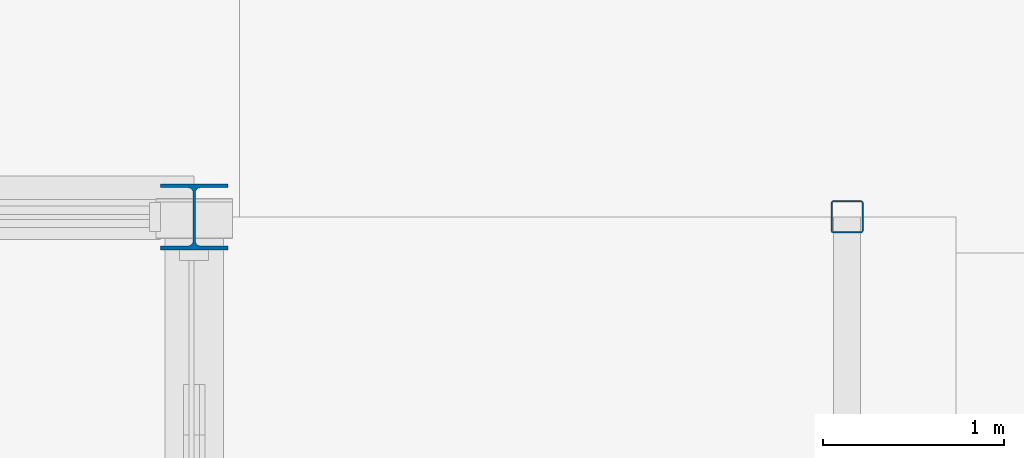
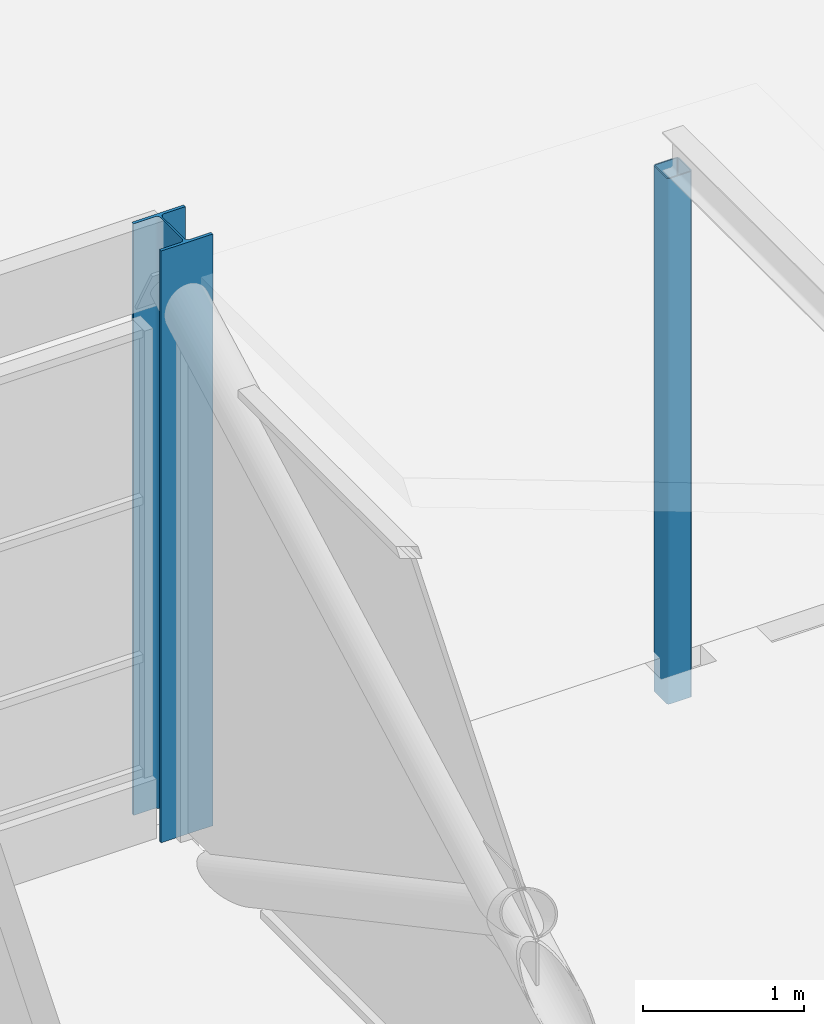
# One storey, part 20 of 116: 2 columns.
"""IFC4 building model written with IfcOpenShell, lengths in metres."""

from ifc_helpers import new_model, si_unit, direction, frame, origin, origin_2d, place, context, subcontext, project, spatial, hollow_rectangle, i_section, extrude, material, material_profile, profile_set, type_object, element, save


model = new_model("IFC4")

# Units and contexts
model_context = context("Model", 3, precision=1e-05, world=origin(), true_north=direction((0.0, 1.0)))
body_context = subcontext(model_context, "Body", "Model", "MODEL_VIEW")
ifc_project = project(units=[si_unit("LENGTHUNIT", "METRE"), si_unit("AREAUNIT", "SQUARE_METRE"), si_unit("VOLUMEUNIT", "CUBIC_METRE"), si_unit("PLANEANGLEUNIT", "RADIAN"), si_unit("MASSUNIT", "GRAM", prefix="KILO")], contexts=[model_context])

# Site, building, storey
site_placement = place(None, origin())
site = spatial("IfcSite", under=ifc_project, at=site_placement, CompositionType="ELEMENT")
building_placement = place(site_placement, origin())
building = spatial("IfcBuilding", under=site, at=building_placement, Name="Ardhachandra Cancer Care Centre", CompositionType="ELEMENT")
storey_placement = place(building_placement, origin())
storey = spatial("IfcBuildingStorey", under=building, at=storey_placement, Name="L00", CompositionType="ELEMENT", Elevation=0.0)

# Columns
ifc_material_1 = material(Name="Steel E350 (IS 2062)", Category="steel")
ifc_material_profile_1 = material_profile(ifc_material_1, hollow_rectangle(XDim=0.179931640625, YDim=0.179931640625, WallThickness=0.008056640625, InnerFilletRadius=0.008056640625, OuterFilletRadius=0.01611328125, at=origin_2d()), Name="SHS 180x180x8.0")
ifc_profile_set_1 = profile_set([ifc_material_profile_1], Name="Steel E350 (IS 2062)")
column_type_1 = type_object("IfcColumnType", Name="Arcade column SHS 180x180x8.0", PredefinedType="COLUMN", material=ifc_profile_set_1)
column_1_placement = place(storey_placement, frame((148.800048828125, 105.0, -0.300048828125), z_axis=(0.0, 0.0, 1.0), x_axis=(1.0, 0.0, 0.0)))
element("IfcColumn", 1, at=column_1_placement, inside=storey, type_object=column_type_1, Name="Arcade column 19", PredefinedType="COLUMN", context=body_context, shape_type="SweptSolid", body=[
    extrude(hollow_rectangle(XDim=0.179931640625, YDim=0.179931640625, WallThickness=0.008056640625, InnerFilletRadius=0.008056640625, OuterFilletRadius=0.01611328125, at=origin_2d()), origin(), (0.0, 0.0, 1.0), 3.996826171875),
])
ifc_material_2 = material(Name="Steel E350 (IS 2062)", Category="steel")
ifc_material_profile_2 = material_profile(ifc_material_2, i_section(OverallWidth=0.37109375, OverallDepth=0.364013671875, WebThickness=0.01318359375, FlangeThickness=0.021728515625, FilletRadius=0.027099609375, at=origin_2d()), Name="WPB 360x370x165.34")
ifc_profile_set_2 = profile_set([ifc_material_profile_2], Name="Steel E350 (IS 2062)")
column_type_2 = type_object("IfcColumnType", Name="Column WPB 360x370x165.34", PredefinedType="COLUMN", material=ifc_profile_set_2)
column_2_placement = place(storey_placement, frame((145.199951171875, 105.0, 0.0), z_axis=(0.0, 0.0, 1.0), x_axis=(1.0, 0.0, 0.0)))
element("IfcColumn", 2, at=column_2_placement, inside=storey, type_object=column_type_2, Name="Column M17 L00", PredefinedType="COLUMN", context=body_context, shape_type="SweptSolid", body=[
    extrude(i_section(OverallWidth=0.37109375, OverallDepth=0.364013671875, WebThickness=0.01318359375, FlangeThickness=0.021728515625, FilletRadius=0.027099609375, at=origin_2d()), origin(), (0.0, 0.0, 1.0), 4.5),
])

save(model, "model.ifc")
